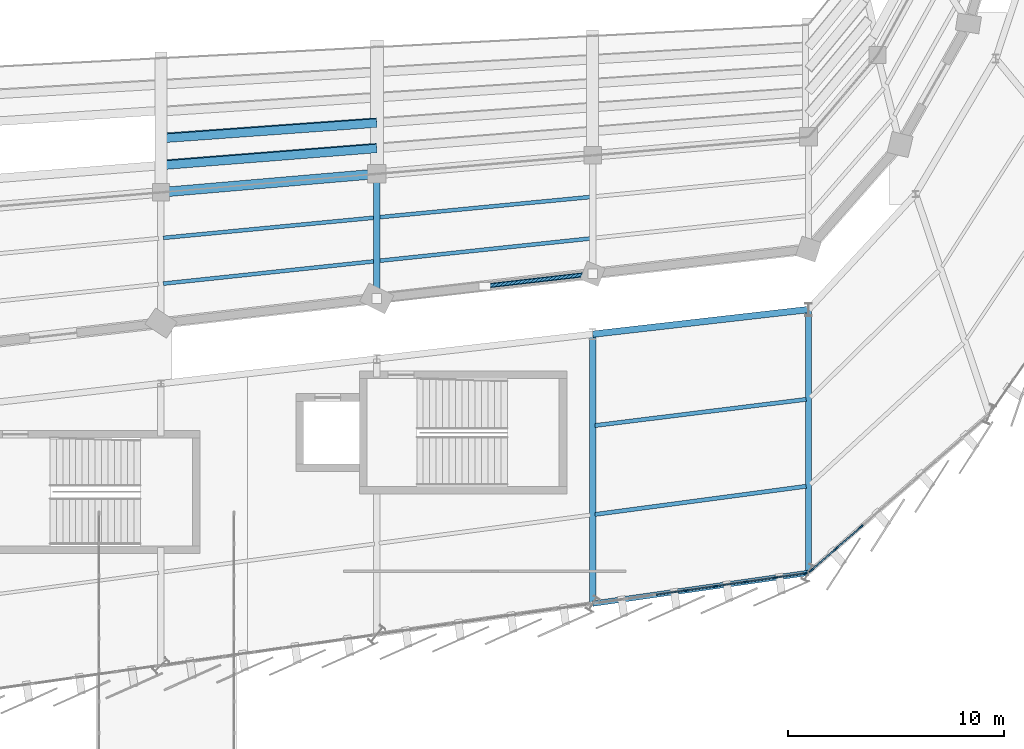
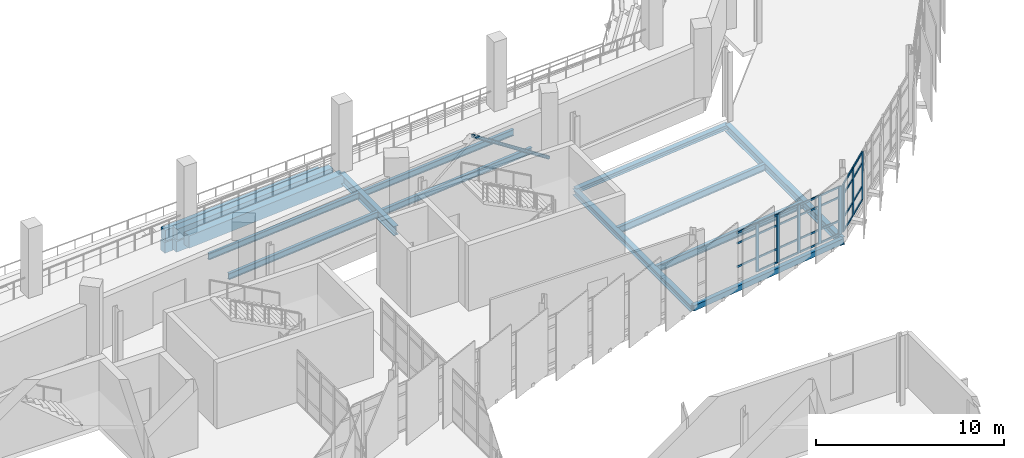
# One storey, part 64 of 134: 36 members, 16 beams, 2 elements without a shape of their own.
"""IFC4 building model written with IfcOpenShell, lengths in metres."""

import ifcopenshell
import ifcopenshell.guid

model = None  # the IFC model being written
_history = None  # IfcOwnerHistory: only IFC2X3 demands one
_inside = {}  # id of a spatial element -> (the spatial element, [elements in it])
_under = {}  # id of a project, library or spatial element -> (it, [spatial elements below it])
_declared = {}  # id of a project -> (the project, [libraries it declares])
_typed = {}  # id of a type object -> (the type object, [elements of that type])
_made_of = {}  # id of a material, layer set ... -> (it, [elements and type objects made of it])


def new_model(schema):
    """Start an empty IFC model of exactly this schema.

    Asked for "IFC4X3", IfcOpenShell would pick the latest addendum, in which some entities
    have other attributes; the version numbers below select the first issue.
    IFC2X3 requires an IfcOwnerHistory on every rooted entity: one is made here for all.
    """
    global model, _history
    if schema == "IFC4X3":
        model = ifcopenshell.file(schema_version=(4, 3, 0, 0))
    else:
        model = ifcopenshell.file(schema=schema)
    _inside.clear()
    _under.clear()
    _declared.clear()
    _typed.clear()
    _made_of.clear()
    _history = None
    if model.schema == "IFC2X3":
        org = make("IfcOrganization", Name="unknown")
        user = make(
            "IfcPersonAndOrganization",
            ThePerson=make("IfcPerson", FamilyName="unknown"),
            TheOrganization=org,
        )
        app = make(
            "IfcApplication",
            ApplicationDeveloper=org,
            Version="unknown",
            ApplicationFullName="unknown",
            ApplicationIdentifier="unknown",
        )
        _history = make(
            "IfcOwnerHistory",
            OwningUser=user,
            OwningApplication=app,
            ChangeAction="ADDED",
            CreationDate=0,
        )
    return model


def make(cls, **values):
    """One entity of the class cls with the attributes given. An attribute that is None is left unset."""
    return model.create_entity(
        cls, **{name: value for name, value in values.items() if value is not None}
    )


def rooted(cls, **values):
    """An entity with a GlobalId (a new one), such as an element, a storey or a relation."""
    return make(cls, GlobalId=ifcopenshell.guid.new(), OwnerHistory=_history, **values)


def si_unit(unit_type, name, prefix=None):
    """IfcSIUnit, for example si_unit("LENGTHUNIT", "METRE", prefix="MILLI")."""
    return make("IfcSIUnit", UnitType=unit_type, Prefix=prefix, Name=name)


def assignment(units):
    """IfcUnitAssignment: the units of a project."""
    return None if units is None else make("IfcUnitAssignment", Units=units)


def point(xyz):
    """IfcCartesianPoint."""
    return None if xyz is None else make("IfcCartesianPoint", Coordinates=xyz)


def direction(xyz):
    """IfcDirection."""
    return None if xyz is None else make("IfcDirection", DirectionRatios=xyz)


def frame(location, z_axis=None, x_axis=None):
    """IfcAxis2Placement3D, a coordinate frame: its origin and axes. An axis left out is left unset."""
    return make(
        "IfcAxis2Placement3D",
        Location=point(location),
        Axis=direction(z_axis),
        RefDirection=direction(x_axis),
    )


def frame_2d(location, x_axis=None):
    """IfcAxis2Placement2D, a coordinate frame in the plane: its origin and x axis."""
    return make(
        "IfcAxis2Placement2D", Location=point(location), RefDirection=direction(x_axis)
    )


def origin():
    """The frame at (0, 0, 0) with its axes left unset."""
    return frame((0.0, 0.0, 0.0))


def origin_2d():
    """The frame at (0, 0) in the plane with its x axis left unset."""
    return frame_2d((0.0, 0.0))


def place(relative_to, where):
    """IfcLocalPlacement: puts the frame where relative to a parent placement (None: the world)."""
    return make(
        "IfcLocalPlacement", PlacementRelTo=relative_to, RelativePlacement=where
    )


def context(
    kind, dimensions, precision=None, world=None, true_north=None, identifier=None
):
    """IfcGeometricRepresentationContext, for example the 3D "Model" context."""
    return make(
        "IfcGeometricRepresentationContext",
        ContextIdentifier=identifier,
        ContextType=kind,
        CoordinateSpaceDimension=dimensions,
        Precision=precision,
        WorldCoordinateSystem=world,
        TrueNorth=true_north,
    )


def subcontext(parent, identifier, kind, view, scale=None):
    """IfcGeometricRepresentationSubContext, for example "Body" below "Model"."""
    return make(
        "IfcGeometricRepresentationSubContext",
        ContextIdentifier=identifier,
        ContextType=kind,
        ParentContext=parent,
        TargetScale=scale,
        TargetView=view,
    )


def project(units=None, contexts=None):
    """IfcProject with its units and contexts."""
    return rooted(
        "IfcProject",
        Name="project",
        RepresentationContexts=contexts,
        UnitsInContext=assignment(units),
    )


def spatial(cls, under=None, at=None, **own):
    """A site, building, storey or space (cls), placed at a placement, below another one or the project."""
    s = rooted(cls, ObjectPlacement=at, **own)
    if under is not None:
        _under.setdefault(under.id(), (under, []))[1].append(s)
    return s


def profile(cls, at=None, kind="AREA", **sizes):
    """A parametric profile (cls). Its sizes go by their IFC names, for example OverallWidth=200.0."""
    return make(cls, ProfileType=kind, Position=at, **sizes)


def rectangle(**sizes):
    """IfcRectangleProfileDef."""
    return profile("IfcRectangleProfileDef", **sizes)


def hollow_rectangle(**sizes):
    """IfcRectangleHollowProfileDef."""
    return profile("IfcRectangleHollowProfileDef", **sizes)


def hollow_circle(**sizes):
    """IfcCircleHollowProfileDef."""
    return profile("IfcCircleHollowProfileDef", **sizes)


def i_section(**sizes):
    """IfcIShapeProfileDef."""
    return profile("IfcIShapeProfileDef", **sizes)


def extrude(swept, where, along, depth):
    """IfcExtrudedAreaSolid: the profile swept, set in the frame where, extruded along a direction by depth."""
    return make(
        "IfcExtrudedAreaSolid",
        SweptArea=swept,
        Position=where,
        ExtrudedDirection=direction(along),
        Depth=depth,
    )


def shape(context_of_items, identifier, shape_type, items):
    """IfcShapeRepresentation: the items that make up one representation, for example the "Body"."""
    return make(
        "IfcShapeRepresentation",
        ContextOfItems=context_of_items,
        RepresentationIdentifier=identifier,
        RepresentationType=shape_type,
        Items=items,
    )


def material(Name=None, Category=None):
    """IfcMaterial."""
    return make("IfcMaterial", Name=Name, Category=Category)


def layer(
    of_material, thickness, ventilated=None, Name=None, Category=None, Priority=None
):
    """IfcMaterialLayer: one layer of a wall or slab, of a material (None: an air gap)."""
    return make(
        "IfcMaterialLayer",
        Material=of_material,
        LayerThickness=thickness,
        IsVentilated=ventilated,
        Name=Name,
        Category=Category,
        Priority=Priority,
    )


def layer_set(layers, Name=None):
    """IfcMaterialLayerSet."""
    return make("IfcMaterialLayerSet", MaterialLayers=layers, LayerSetName=Name)


def material_profile(
    of_material, cross_section, Name=None, Category=None, Priority=None
):
    """IfcMaterialProfile: a cross section and its material."""
    return make(
        "IfcMaterialProfile",
        Name=Name,
        Material=of_material,
        Profile=cross_section,
        Priority=Priority,
        Category=Category,
    )


def profile_set(profiles, Name=None, composite=None):
    """IfcMaterialProfileSet."""
    return make(
        "IfcMaterialProfileSet",
        Name=Name,
        MaterialProfiles=profiles,
        CompositeProfile=composite,
    )


def made_of(thing, what):
    """Note that an element or type object is made of a material, layer set ...; save() writes the relation."""
    if what is not None:
        _made_of.setdefault(what.id(), (what, []))[1].append(thing)
    return thing


def type_object(cls, material=None, **own):
    """A type object (cls), such as IfcWallType, which elements share."""
    return made_of(rooted(cls, **own), material)


def element(
    cls,
    number,
    at=None,
    inside=None,
    cuts=None,
    type_object=None,
    material=None,
    context=None,
    identifier="Body",
    shape_type=None,
    held_by="IfcProductDefinitionShape",
    body=None,
    shapes=None,
    **own,
):
    """One element of the class cls, such as IfcWall. Its Tag is "e" and its number.

    at: its placement. inside: the storey or other place that contains it. cuts: it is an
    opening in that element (IfcRelVoidsElement). A single representation is given by context,
    identifier, shape_type and body (its items); several are given by shapes. held_by: the class
    of the entity that holds the representations. save() writes the other relations.
    """
    e = rooted(cls, Tag="e%d" % number, ObjectPlacement=at, **own)
    if body is not None:
        shapes = [shape(context, identifier, shape_type, body)]
    if shapes is not None:
        e.Representation = make(held_by, Representations=shapes)
    if inside is not None:
        _inside.setdefault(inside.id(), (inside, []))[1].append(e)
    if cuts is not None:
        rooted(
            "IfcRelVoidsElement", RelatingBuildingElement=cuts, RelatedOpeningElement=e
        )
    if type_object is not None:
        _typed.setdefault(type_object.id(), (type_object, []))[1].append(e)
    return made_of(e, material)


def aggregate(whole, parts):
    """IfcRelAggregates: a whole, such as a stair, and the parts it consists of."""
    return rooted("IfcRelAggregates", RelatingObject=whole, RelatedObjects=parts)


def save(model, path):
    """Write the relations noted so far, then the file.

    IfcRelAggregates (storeys below a building ...), IfcRelContainedInSpatialStructure (elements
    in a storey), IfcRelDefinesByType, IfcRelAssociatesMaterial and IfcRelDeclares: one each for
    every whole, place, type object, material and project.
    """
    for whole, parts in _under.values():
        aggregate(whole, parts)
    for where, things in _inside.values():
        rooted(
            "IfcRelContainedInSpatialStructure",
            RelatedElements=things,
            RelatingStructure=where,
        )
    for kind, things in _typed.values():
        rooted("IfcRelDefinesByType", RelatedObjects=things, RelatingType=kind)
    for what, things in _made_of.values():
        rooted("IfcRelAssociatesMaterial", RelatedObjects=things, RelatingMaterial=what)
    for by, libraries in _declared.values():
        rooted("IfcRelDeclares", RelatingContext=by, RelatedDefinitions=libraries)
    model.write(path)


model = new_model("IFC4")

# Units and contexts
model_context = context("Model", 3, precision=1e-05, world=origin(), true_north=direction((0.0, 1.0)))
body_context = subcontext(model_context, "Body", "Model", "MODEL_VIEW")
ifc_project = project(units=[si_unit("LENGTHUNIT", "METRE"), si_unit("AREAUNIT", "SQUARE_METRE"), si_unit("VOLUMEUNIT", "CUBIC_METRE"), si_unit("PLANEANGLEUNIT", "RADIAN"), si_unit("MASSUNIT", "GRAM", prefix="KILO")], contexts=[model_context])

# Site, building, storey
site_placement = place(None, origin())
site = spatial("IfcSite", under=ifc_project, at=site_placement, CompositionType="ELEMENT")
building_placement = place(site_placement, origin())
building = spatial("IfcBuilding", under=site, at=building_placement, Name="Sohan Crest Arena", CompositionType="ELEMENT")
storey_placement = place(building_placement, frame((0.0, 0.0, 4.5)))
storey = spatial("IfcBuildingStorey", under=building, at=storey_placement, Name="L01", CompositionType="ELEMENT", Elevation=4.5)

# Curtain wall, members
ifc_material_1 = material(Name="Thermally broken anodised aluminium", Category="aluminium")
ifc_layer_1 = layer(ifc_material_1, 0.179931640625, Name="Thermally broken anodised aluminium")
ifc_layer_set_1 = layer_set([ifc_layer_1], Name="Thermally broken anodised aluminium")
curtain_wall_type_1 = type_object("IfcCurtainWallType", Name="ARC-CW01", PredefinedType="NOTDEFINED", material=ifc_layer_set_1)
curtain_wall_1_placement = place(storey_placement, origin())
curtain_wall_1 = element("IfcCurtainWall", 1, at=curtain_wall_1_placement, inside=storey, type_object=curtain_wall_type_1, Name="Unitised curtain wall CW-036", PredefinedType="NOTDEFINED")
ifc_material_profile_1 = material_profile(ifc_material_1, rectangle(XDim=0.070068359375, YDim=0.199951171875, at=origin_2d()), Name="ALU-MULL 70x200")
ifc_profile_set_1 = profile_set([ifc_material_profile_1], Name="Thermally broken anodised aluminium")
member_type_1 = type_object("IfcMemberType", Name="ARC-CW-ML03", PredefinedType="MULLION", material=ifc_profile_set_1)
member_1_placement = place(storey_placement, frame((162.30419921875, 39.18603515625, 0.0), z_axis=(0.0, 0.0, 1.0), x_axis=(-0.141549389674, 0.989931194722, 0.0)))
member_1 = element("IfcMember", 2, at=member_1_placement, type_object=member_type_1, Name="CW-036 mullion 4", PredefinedType="MULLION", context=body_context, shape_type="SweptSolid", body=[
    extrude(rectangle(XDim=0.070068359375, YDim=0.199951171875, at=origin_2d()), origin(), (0.0, 0.0, 1.0), 3.1201171875),
])
member_2_placement = place(storey_placement, frame((163.69580078125, 39.385009765625, 0.0), z_axis=(0.0, 0.0, 1.0), x_axis=(-0.141549389674, 0.989931194722, 0.0)))
member_2 = element("IfcMember", 3, at=member_2_placement, type_object=member_type_1, Name="CW-036 mullion 5", PredefinedType="MULLION", context=body_context, shape_type="SweptSolid", body=[
    extrude(rectangle(XDim=0.070068359375, YDim=0.199951171875, at=origin_2d()), origin(), (0.0, 0.0, 1.0), 3.1201171875),
])
member_3_placement = place(storey_placement, frame((165.087646484375, 39.583984375, 0.0), z_axis=(0.0, 0.0, 1.0), x_axis=(-0.141549389674, 0.989931194722, 0.0)))
member_3 = element("IfcMember", 4, at=member_3_placement, type_object=member_type_1, Name="CW-036 mullion 6", PredefinedType="MULLION", context=body_context, shape_type="SweptSolid", body=[
    extrude(rectangle(XDim=0.070068359375, YDim=0.199951171875, at=origin_2d()), origin(), (0.0, 0.0, 1.0), 3.1201171875),
])
member_4_placement = place(storey_placement, frame((166.479248046875, 39.782958984375, 0.0), z_axis=(0.0, 0.0, 1.0), x_axis=(-0.141549389674, 0.989931194722, 0.0)))
member_4 = element("IfcMember", 5, at=member_4_placement, type_object=member_type_1, Name="CW-036 mullion 7", PredefinedType="MULLION", context=body_context, shape_type="SweptSolid", body=[
    extrude(rectangle(XDim=0.070068359375, YDim=0.199951171875, at=origin_2d()), origin(), (0.0, 0.0, 1.0), 3.1201171875),
])
member_5_placement = place(storey_placement, frame((167.83642578125, 39.97705078125, 0.0), z_axis=(0.0, 0.0, 1.0), x_axis=(-0.141549389674, 0.989931194722, 0.0)))
member_5 = element("IfcMember", 6, at=member_5_placement, type_object=member_type_1, Name="CW-036 mullion 8", PredefinedType="MULLION", context=body_context, shape_type="SweptSolid", body=[
    extrude(rectangle(XDim=0.070068359375, YDim=0.199951171875, at=origin_2d()), origin(), (0.0, 0.0, 1.0), 3.1201171875),
])

ifc_layer_2 = layer(ifc_material_1, 0.199951171875, Name="Thermally broken anodised aluminium")
ifc_layer_set_2 = layer_set([ifc_layer_2], Name="Thermally broken anodised aluminium")
curtain_wall_type_2 = type_object("IfcCurtainWallType", Name="ARC-CW02", PredefinedType="NOTDEFINED", material=ifc_layer_set_2)
curtain_wall_2_placement = place(storey_placement, origin())
curtain_wall_2 = element("IfcCurtainWall", 7, at=curtain_wall_2_placement, inside=storey, type_object=curtain_wall_type_2, Name="Unitised curtain wall CW-037", PredefinedType="NOTDEFINED")
ifc_material_profile_2 = material_profile(ifc_material_1, rectangle(XDim=0.074951171875, YDim=0.219970703125, at=origin_2d()), Name="ALU-MULL 75x220")
ifc_profile_set_2 = profile_set([ifc_material_profile_2], Name="Thermally broken anodised aluminium")
member_type_2 = type_object("IfcMemberType", Name="ARC-CW-ML04", PredefinedType="MULLION", material=ifc_profile_set_2)
member_6_placement = place(storey_placement, frame((168.126220703125, 40.11083984375, 0.0), z_axis=(0.0, 0.0, 1.0), x_axis=(-0.659511551903, 0.751694427881, 0.0)))
member_6 = element("IfcMember", 8, at=member_6_placement, type_object=member_type_2, Name="CW-037 mullion 1", PredefinedType="MULLION", context=body_context, shape_type="SweptSolid", body=[
    extrude(rectangle(XDim=0.074951171875, YDim=0.219970703125, at=origin_2d()), origin(), (0.0, 0.0, 1.0), 3.1201171875),
])
member_7_placement = place(storey_placement, frame((169.267578125, 41.112060546875, 0.0), z_axis=(0.0, 0.0, 1.0), x_axis=(-0.659511551903, 0.751694427881, 0.0)))
member_7 = element("IfcMember", 9, at=member_7_placement, type_object=member_type_2, Name="CW-037 mullion 2", PredefinedType="MULLION", context=body_context, shape_type="SweptSolid", body=[
    extrude(rectangle(XDim=0.074951171875, YDim=0.219970703125, at=origin_2d()), origin(), (0.0, 0.0, 1.0), 3.1201171875),
])
member_8_placement = place(storey_placement, frame((170.437255859375, 42.13818359375, 0.0), z_axis=(0.0, 0.0, 1.0), x_axis=(-0.659511551903, 0.751694427881, 0.0)))
member_8 = element("IfcMember", 10, at=member_8_placement, type_object=member_type_2, Name="CW-037 mullion 3", PredefinedType="MULLION", context=body_context, shape_type="SweptSolid", body=[
    extrude(rectangle(XDim=0.074951171875, YDim=0.219970703125, at=origin_2d()), origin(), (0.0, 0.0, 1.0), 3.1201171875),
])

# Member
ifc_material_profile_3 = material_profile(ifc_material_1, rectangle(XDim=0.06005859375, YDim=0.1201171875, at=origin_2d()), Name="ALU-TRAN 60x120")
ifc_profile_set_3 = profile_set([ifc_material_profile_3], Name="Thermally broken anodised aluminium")
member_type_3 = type_object("IfcMemberType", Name="ARC-CW-TR01", PredefinedType="USERDEFINED", material=ifc_profile_set_3)
member_9_placement = place(storey_placement, frame((160.947021484375, 38.991943359375, 0.89990234375), z_axis=(0.989920233582, 0.141626025665, 0.0), x_axis=(-0.141626025665, 0.989920233582, 0.0)))
member_9 = element("IfcMember", 11, at=member_9_placement, type_object=member_type_3, Name="CW-036 transom 3.2", ObjectType="TRANSOM", PredefinedType="USERDEFINED", context=body_context, shape_type="SweptSolid", body=[
    extrude(rectangle(XDim=0.06005859375, YDim=0.1201171875, at=origin_2d()), origin(), (0.0, 0.0, 1.0), 1.3359375),
])

member_10_placement = place(storey_placement, frame((160.947021484375, 38.991943359375, 2.419921875), z_axis=(0.989920233582, 0.141626025665, 0.0), x_axis=(-0.141626025665, 0.989920233582, 0.0)))
member_10 = element("IfcMember", 12, at=member_10_placement, type_object=member_type_3, Name="CW-036 transom 3.3", ObjectType="TRANSOM", PredefinedType="USERDEFINED", context=body_context, shape_type="SweptSolid", body=[
    extrude(rectangle(XDim=0.06005859375, YDim=0.1201171875, at=origin_2d()), origin(), (0.0, 0.0, 1.0), 1.3359375),
])

member_11_placement = place(storey_placement, frame((160.947021484375, 38.991943359375, 3.090087890625), z_axis=(0.989920233582, 0.141626025665, 0.0), x_axis=(-0.141626025665, 0.989920233582, 0.0)))
member_11 = element("IfcMember", 13, at=member_11_placement, type_object=member_type_3, Name="CW-036 transom 3.4", ObjectType="TRANSOM", PredefinedType="USERDEFINED", context=body_context, shape_type="SweptSolid", body=[
    extrude(rectangle(XDim=0.06005859375, YDim=0.1201171875, at=origin_2d()), origin(), (0.0, 0.0, 1.0), 1.3359375),
])

member_12_placement = place(storey_placement, frame((162.3388671875, 39.19091796875, 0.030029296875), z_axis=(0.989916567135, 0.141651650578, 0.0), x_axis=(-0.141651650578, 0.989916567135, 0.0)))
member_12 = element("IfcMember", 14, at=member_12_placement, type_object=member_type_3, Name="CW-036 transom 4.1", ObjectType="TRANSOM", PredefinedType="USERDEFINED", context=body_context, shape_type="SweptSolid", body=[
    extrude(rectangle(XDim=0.06005859375, YDim=0.1201171875, at=origin_2d()), origin(), (0.0, 0.0, 1.0), 1.335693359375),
])

member_13_placement = place(storey_placement, frame((162.3388671875, 39.19091796875, 0.89990234375), z_axis=(0.989916567135, 0.141651650578, 0.0), x_axis=(-0.141651650578, 0.989916567135, 0.0)))
member_13 = element("IfcMember", 15, at=member_13_placement, type_object=member_type_3, Name="CW-036 transom 4.2", ObjectType="TRANSOM", PredefinedType="USERDEFINED", context=body_context, shape_type="SweptSolid", body=[
    extrude(rectangle(XDim=0.06005859375, YDim=0.1201171875, at=origin_2d()), origin(), (0.0, 0.0, 1.0), 1.335693359375),
])

member_14_placement = place(storey_placement, frame((162.3388671875, 39.19091796875, 2.419921875), z_axis=(0.989916567135, 0.141651650578, 0.0), x_axis=(-0.141651650578, 0.989916567135, 0.0)))
member_14 = element("IfcMember", 16, at=member_14_placement, type_object=member_type_3, Name="CW-036 transom 4.3", ObjectType="TRANSOM", PredefinedType="USERDEFINED", context=body_context, shape_type="SweptSolid", body=[
    extrude(rectangle(XDim=0.06005859375, YDim=0.1201171875, at=origin_2d()), origin(), (0.0, 0.0, 1.0), 1.335693359375),
])

member_15_placement = place(storey_placement, frame((162.3388671875, 39.19091796875, 3.090087890625), z_axis=(0.989916567135, 0.141651650578, 0.0), x_axis=(-0.141651650578, 0.989916567135, 0.0)))
member_15 = element("IfcMember", 17, at=member_15_placement, type_object=member_type_3, Name="CW-036 transom 4.4", ObjectType="TRANSOM", PredefinedType="USERDEFINED", context=body_context, shape_type="SweptSolid", body=[
    extrude(rectangle(XDim=0.06005859375, YDim=0.1201171875, at=origin_2d()), origin(), (0.0, 0.0, 1.0), 1.335693359375),
])

member_16_placement = place(storey_placement, frame((163.73046875, 39.389892578125, 0.030029296875), z_axis=(0.989920233582, 0.141626025665, 0.0), x_axis=(-0.141626025665, 0.989920233582, 0.0)))
member_16 = element("IfcMember", 18, at=member_16_placement, type_object=member_type_3, Name="CW-036 transom 5.1", ObjectType="TRANSOM", PredefinedType="USERDEFINED", context=body_context, shape_type="SweptSolid", body=[
    extrude(rectangle(XDim=0.06005859375, YDim=0.1201171875, at=origin_2d()), origin(), (0.0, 0.0, 1.0), 1.3359375),
])

member_17_placement = place(storey_placement, frame((163.73046875, 39.389892578125, 0.89990234375), z_axis=(0.989920233582, 0.141626025665, 0.0), x_axis=(-0.141626025665, 0.989920233582, 0.0)))
member_17 = element("IfcMember", 19, at=member_17_placement, type_object=member_type_3, Name="CW-036 transom 5.2", ObjectType="TRANSOM", PredefinedType="USERDEFINED", context=body_context, shape_type="SweptSolid", body=[
    extrude(rectangle(XDim=0.06005859375, YDim=0.1201171875, at=origin_2d()), origin(), (0.0, 0.0, 1.0), 1.3359375),
])

member_18_placement = place(storey_placement, frame((163.73046875, 39.389892578125, 2.419921875), z_axis=(0.989920233582, 0.141626025665, 0.0), x_axis=(-0.141626025665, 0.989920233582, 0.0)))
member_18 = element("IfcMember", 20, at=member_18_placement, type_object=member_type_3, Name="CW-036 transom 5.3", ObjectType="TRANSOM", PredefinedType="USERDEFINED", context=body_context, shape_type="SweptSolid", body=[
    extrude(rectangle(XDim=0.06005859375, YDim=0.1201171875, at=origin_2d()), origin(), (0.0, 0.0, 1.0), 1.3359375),
])

member_19_placement = place(storey_placement, frame((163.73046875, 39.389892578125, 3.090087890625), z_axis=(0.989920233582, 0.141626025665, 0.0), x_axis=(-0.141626025665, 0.989920233582, 0.0)))
member_19 = element("IfcMember", 21, at=member_19_placement, type_object=member_type_3, Name="CW-036 transom 5.4", ObjectType="TRANSOM", PredefinedType="USERDEFINED", context=body_context, shape_type="SweptSolid", body=[
    extrude(rectangle(XDim=0.06005859375, YDim=0.1201171875, at=origin_2d()), origin(), (0.0, 0.0, 1.0), 1.3359375),
])

member_20_placement = place(storey_placement, frame((165.122314453125, 39.5888671875, 0.030029296875), z_axis=(0.989916567135, 0.141651650578, 0.0), x_axis=(-0.141651650578, 0.989916567135, 0.0)))
member_20 = element("IfcMember", 22, at=member_20_placement, type_object=member_type_3, Name="CW-036 transom 6.1", ObjectType="TRANSOM", PredefinedType="USERDEFINED", context=body_context, shape_type="SweptSolid", body=[
    extrude(rectangle(XDim=0.06005859375, YDim=0.1201171875, at=origin_2d()), origin(), (0.0, 0.0, 1.0), 1.335693359375),
])

member_21_placement = place(storey_placement, frame((165.122314453125, 39.5888671875, 0.89990234375), z_axis=(0.989916567135, 0.141651650578, 0.0), x_axis=(-0.141651650578, 0.989916567135, 0.0)))
member_21 = element("IfcMember", 23, at=member_21_placement, type_object=member_type_3, Name="CW-036 transom 6.2", ObjectType="TRANSOM", PredefinedType="USERDEFINED", context=body_context, shape_type="SweptSolid", body=[
    extrude(rectangle(XDim=0.06005859375, YDim=0.1201171875, at=origin_2d()), origin(), (0.0, 0.0, 1.0), 1.335693359375),
])

member_22_placement = place(storey_placement, frame((165.122314453125, 39.5888671875, 2.419921875), z_axis=(0.989916567135, 0.141651650578, 0.0), x_axis=(-0.141651650578, 0.989916567135, 0.0)))
member_22 = element("IfcMember", 24, at=member_22_placement, type_object=member_type_3, Name="CW-036 transom 6.3", ObjectType="TRANSOM", PredefinedType="USERDEFINED", context=body_context, shape_type="SweptSolid", body=[
    extrude(rectangle(XDim=0.06005859375, YDim=0.1201171875, at=origin_2d()), origin(), (0.0, 0.0, 1.0), 1.335693359375),
])

member_23_placement = place(storey_placement, frame((165.122314453125, 39.5888671875, 3.090087890625), z_axis=(0.989916567135, 0.141651650578, 0.0), x_axis=(-0.141651650578, 0.989916567135, 0.0)))
member_23 = element("IfcMember", 25, at=member_23_placement, type_object=member_type_3, Name="CW-036 transom 6.4", ObjectType="TRANSOM", PredefinedType="USERDEFINED", context=body_context, shape_type="SweptSolid", body=[
    extrude(rectangle(XDim=0.06005859375, YDim=0.1201171875, at=origin_2d()), origin(), (0.0, 0.0, 1.0), 1.335693359375),
])

member_24_placement = place(storey_placement, frame((166.513916015625, 39.787841796875, 0.030029296875), z_axis=(0.989911926593, 0.141684076697, 0.0), x_axis=(-0.141684076697, 0.989911926593, 0.0)))
member_24 = element("IfcMember", 26, at=member_24_placement, type_object=member_type_3, Name="CW-036 transom 7.1", ObjectType="TRANSOM", PredefinedType="USERDEFINED", context=body_context, shape_type="SweptSolid", body=[
    extrude(rectangle(XDim=0.06005859375, YDim=0.1201171875, at=origin_2d()), origin(), (0.0, 0.0, 1.0), 1.301025390625),
])

member_25_placement = place(storey_placement, frame((166.513916015625, 39.787841796875, 0.89990234375), z_axis=(0.989911926593, 0.141684076697, 0.0), x_axis=(-0.141684076697, 0.989911926593, 0.0)))
member_25 = element("IfcMember", 27, at=member_25_placement, type_object=member_type_3, Name="CW-036 transom 7.2", ObjectType="TRANSOM", PredefinedType="USERDEFINED", context=body_context, shape_type="SweptSolid", body=[
    extrude(rectangle(XDim=0.06005859375, YDim=0.1201171875, at=origin_2d()), origin(), (0.0, 0.0, 1.0), 1.301025390625),
])

member_26_placement = place(storey_placement, frame((166.513916015625, 39.787841796875, 2.419921875), z_axis=(0.989911926593, 0.141684076697, 0.0), x_axis=(-0.141684076697, 0.989911926593, 0.0)))
member_26 = element("IfcMember", 28, at=member_26_placement, type_object=member_type_3, Name="CW-036 transom 7.3", ObjectType="TRANSOM", PredefinedType="USERDEFINED", context=body_context, shape_type="SweptSolid", body=[
    extrude(rectangle(XDim=0.06005859375, YDim=0.1201171875, at=origin_2d()), origin(), (0.0, 0.0, 1.0), 1.301025390625),
])

member_27_placement = place(storey_placement, frame((166.513916015625, 39.787841796875, 3.090087890625), z_axis=(0.989911926593, 0.141684076697, 0.0), x_axis=(-0.141684076697, 0.989911926593, 0.0)))
member_27 = element("IfcMember", 29, at=member_27_placement, type_object=member_type_3, Name="CW-036 transom 7.4", ObjectType="TRANSOM", PredefinedType="USERDEFINED", context=body_context, shape_type="SweptSolid", body=[
    extrude(rectangle(XDim=0.06005859375, YDim=0.1201171875, at=origin_2d()), origin(), (0.0, 0.0, 1.0), 1.301025390625),
])

aggregate(curtain_wall_1, [member_1, member_2, member_3, member_4, member_5, member_9, member_10, member_11, member_12, member_13, member_14, member_15, member_16, member_17, member_18, member_19, member_20, member_21, member_22, member_23, member_24, member_25, member_26, member_27])

ifc_material_profile_4 = material_profile(ifc_material_1, rectangle(XDim=0.06494140625, YDim=0.139892578125, at=origin_2d()), Name="ALU-TRAN 65x140")
ifc_profile_set_4 = profile_set([ifc_material_profile_4], Name="Thermally broken anodised aluminium")
member_type_4 = type_object("IfcMemberType", Name="ARC-CW-TR02", PredefinedType="USERDEFINED", material=ifc_profile_set_4)
member_28_placement = place(storey_placement, frame((168.154296875, 40.135498046875, 0.032470703125), z_axis=(0.751769409256, 0.659426080245, 0.0), x_axis=(-0.659426080245, 0.751769409256, 0.0)))
member_28 = element("IfcMember", 30, at=member_28_placement, type_object=member_type_4, Name="CW-037 transom 1.1", ObjectType="TRANSOM", PredefinedType="USERDEFINED", context=body_context, shape_type="SweptSolid", body=[
    extrude(rectangle(XDim=0.06494140625, YDim=0.139892578125, at=origin_2d()), origin(), (0.0, 0.0, 1.0), 1.443603515625),
])

member_29_placement = place(storey_placement, frame((168.154296875, 40.135498046875, 0.89990234375), z_axis=(0.751769409256, 0.659426080245, 0.0), x_axis=(-0.659426080245, 0.751769409256, 0.0)))
member_29 = element("IfcMember", 31, at=member_29_placement, type_object=member_type_4, Name="CW-037 transom 1.2", ObjectType="TRANSOM", PredefinedType="USERDEFINED", context=body_context, shape_type="SweptSolid", body=[
    extrude(rectangle(XDim=0.06494140625, YDim=0.139892578125, at=origin_2d()), origin(), (0.0, 0.0, 1.0), 1.443603515625),
])

member_30_placement = place(storey_placement, frame((168.154296875, 40.135498046875, 2.419921875), z_axis=(0.751769409256, 0.659426080245, 0.0), x_axis=(-0.659426080245, 0.751769409256, 0.0)))
member_30 = element("IfcMember", 32, at=member_30_placement, type_object=member_type_4, Name="CW-037 transom 1.3", ObjectType="TRANSOM", PredefinedType="USERDEFINED", context=body_context, shape_type="SweptSolid", body=[
    extrude(rectangle(XDim=0.06494140625, YDim=0.139892578125, at=origin_2d()), origin(), (0.0, 0.0, 1.0), 1.443603515625),
])

member_31_placement = place(storey_placement, frame((168.154296875, 40.135498046875, 3.08740234375), z_axis=(0.751769409256, 0.659426080245, 0.0), x_axis=(-0.659426080245, 0.751769409256, 0.0)))
member_31 = element("IfcMember", 33, at=member_31_placement, type_object=member_type_4, Name="CW-037 transom 1.4", ObjectType="TRANSOM", PredefinedType="USERDEFINED", context=body_context, shape_type="SweptSolid", body=[
    extrude(rectangle(XDim=0.06494140625, YDim=0.139892578125, at=origin_2d()), origin(), (0.0, 0.0, 1.0), 1.443603515625),
])

member_32_placement = place(storey_placement, frame((169.295654296875, 41.136962890625, 0.032470703125), z_axis=(0.751759112871, 0.659437818308, 0.0), x_axis=(-0.659437818308, 0.751759112871, 0.0)))
member_32 = element("IfcMember", 34, at=member_32_placement, type_object=member_type_4, Name="CW-037 transom 2.1", ObjectType="TRANSOM", PredefinedType="USERDEFINED", context=body_context, shape_type="SweptSolid", body=[
    extrude(rectangle(XDim=0.06494140625, YDim=0.139892578125, at=origin_2d()), origin(), (0.0, 0.0, 1.0), 1.48095703125),
])

member_33_placement = place(storey_placement, frame((169.295654296875, 41.136962890625, 0.89990234375), z_axis=(0.751759112871, 0.659437818308, 0.0), x_axis=(-0.659437818308, 0.751759112871, 0.0)))
member_33 = element("IfcMember", 35, at=member_33_placement, type_object=member_type_4, Name="CW-037 transom 2.2", ObjectType="TRANSOM", PredefinedType="USERDEFINED", context=body_context, shape_type="SweptSolid", body=[
    extrude(rectangle(XDim=0.06494140625, YDim=0.139892578125, at=origin_2d()), origin(), (0.0, 0.0, 1.0), 1.48095703125),
])

member_34_placement = place(storey_placement, frame((169.295654296875, 41.136962890625, 2.419921875), z_axis=(0.751759112871, 0.659437818308, 0.0), x_axis=(-0.659437818308, 0.751759112871, 0.0)))
member_34 = element("IfcMember", 36, at=member_34_placement, type_object=member_type_4, Name="CW-037 transom 2.3", ObjectType="TRANSOM", PredefinedType="USERDEFINED", context=body_context, shape_type="SweptSolid", body=[
    extrude(rectangle(XDim=0.06494140625, YDim=0.139892578125, at=origin_2d()), origin(), (0.0, 0.0, 1.0), 1.48095703125),
])

member_35_placement = place(storey_placement, frame((169.295654296875, 41.136962890625, 3.08740234375), z_axis=(0.751759112871, 0.659437818308, 0.0), x_axis=(-0.659437818308, 0.751759112871, 0.0)))
member_35 = element("IfcMember", 37, at=member_35_placement, type_object=member_type_4, Name="CW-037 transom 2.4", ObjectType="TRANSOM", PredefinedType="USERDEFINED", context=body_context, shape_type="SweptSolid", body=[
    extrude(rectangle(XDim=0.06494140625, YDim=0.139892578125, at=origin_2d()), origin(), (0.0, 0.0, 1.0), 1.48095703125),
])

aggregate(curtain_wall_2, [member_6, member_7, member_8, member_28, member_29, member_30, member_31, member_32, member_33, member_34, member_35])

# Beams
ifc_material_2 = material(Name="Steel S355", Category="steel")
ifc_material_profile_5 = material_profile(ifc_material_2, i_section(OverallWidth=0.179931640625, OverallDepth=0.39990234375, WebThickness=0.008544921875, FlangeThickness=0.013427734375, at=origin_2d()), Name="IPE 400")
ifc_profile_set_5 = profile_set([ifc_material_profile_5], Name="Steel S355")
beam_type_1 = type_object("IfcBeamType", Name="STR-BM-B03", PredefinedType="JOIST", material=ifc_profile_set_5)
beam_1_placement = place(storey_placement, frame((138.10888671875, 55.51904296875, -0.449951171875), z_axis=(0.995443739336, 0.095350730547, 0.0), x_axis=(-0.095350730547, 0.995443739336, 0.0)))
element("IfcBeam", 38, at=beam_1_placement, inside=storey, type_object=beam_type_1, Name="Structural beam J-L01-0419", PredefinedType="JOIST", context=body_context, shape_type="SweptSolid", body=[
    extrude(i_section(OverallWidth=0.179931640625, OverallDepth=0.39990234375, WebThickness=0.008544921875, FlangeThickness=0.013427734375, at=origin_2d()), origin(), (0.0, 0.0, 1.0), 9.826904296875),
])
beam_2_placement = place(storey_placement, frame((138.10888671875, 53.39990234375, -0.449951171875), z_axis=(0.994458024707, 0.105134376377, 0.0), x_axis=(-0.105134376377, 0.994458024707, 0.0)))
element("IfcBeam", 39, at=beam_2_placement, inside=storey, type_object=beam_type_1, Name="Structural beam J-L01-0420", PredefinedType="JOIST", context=body_context, shape_type="SweptSolid", body=[
    extrude(i_section(OverallWidth=0.179931640625, OverallDepth=0.39990234375, WebThickness=0.008544921875, FlangeThickness=0.013427734375, at=origin_2d()), origin(), (0.0, 0.0, 1.0), 9.836669921875),
])
beam_3_placement = place(storey_placement, frame((148.10888671875, 56.47607421875, -0.449951171875), z_axis=(0.995443739336, 0.095350730547, 0.0), x_axis=(-0.095350730547, 0.995443739336, 0.0)))
element("IfcBeam", 40, at=beam_3_placement, inside=storey, type_object=beam_type_1, Name="Structural beam J-L01-0441", PredefinedType="JOIST", context=body_context, shape_type="SweptSolid", body=[
    extrude(i_section(OverallWidth=0.179931640625, OverallDepth=0.39990234375, WebThickness=0.008544921875, FlangeThickness=0.013427734375, at=origin_2d()), origin(), (0.0, 0.0, 1.0), 9.826904296875),
])
beam_4_placement = place(storey_placement, frame((148.10888671875, 54.4580078125, -0.449951171875), z_axis=(0.994470991784, 0.105011649352, 0.0), x_axis=(-0.105011649352, 0.994470991784, 0.0)))
element("IfcBeam", 41, at=beam_4_placement, inside=storey, type_object=beam_type_1, Name="Structural beam J-L01-0442", PredefinedType="JOIST", context=body_context, shape_type="SweptSolid", body=[
    extrude(i_section(OverallWidth=0.179931640625, OverallDepth=0.39990234375, WebThickness=0.008544921875, FlangeThickness=0.013427734375, at=origin_2d()), origin(), (0.0, 0.0, 1.0), 9.836669921875),
])
ifc_material_profile_6 = material_profile(ifc_material_2, i_section(OverallWidth=0.18994140625, OverallDepth=0.449951171875, WebThickness=0.009521484375, FlangeThickness=0.0146484375, at=origin_2d()), Name="IPE 450")
ifc_profile_set_6 = profile_set([ifc_material_profile_6], Name="Steel S355")
beam_type_2 = type_object("IfcBeamType", Name="STR-BM-B04", PredefinedType="JOIST", material=ifc_profile_set_6)
beam_5_placement = place(storey_placement, frame((158.10888671875, 46.825927734375, -0.5), z_axis=(0.992409914467, 0.122973825131, 0.0), x_axis=(-0.122973825131, 0.992409914467, 0.0)))
element("IfcBeam", 42, at=beam_5_placement, inside=storey, type_object=beam_type_2, Name="Structural beam J-L01-1170", PredefinedType="JOIST", context=body_context, shape_type="SweptSolid", body=[
    extrude(i_section(OverallWidth=0.18994140625, OverallDepth=0.449951171875, WebThickness=0.009521484375, FlangeThickness=0.0146484375, at=origin_2d()), origin(), (0.0, 0.0, 1.0), 9.85693359375),
])
beam_6_placement = place(storey_placement, frame((158.10888671875, 42.7060546875, -0.5), z_axis=(0.991219472477, 0.132226916252, 0.0), x_axis=(-0.132226916252, 0.991219472477, 0.0)))
element("IfcBeam", 43, at=beam_6_placement, inside=storey, type_object=beam_type_2, Name="Structural beam J-L01-1171", PredefinedType="JOIST", context=body_context, shape_type="SweptSolid", body=[
    extrude(i_section(OverallWidth=0.18994140625, OverallDepth=0.449951171875, WebThickness=0.009521484375, FlangeThickness=0.0146484375, at=origin_2d()), origin(), (0.0, 0.0, 1.0), 9.868896484375),
])
ifc_material_profile_7 = material_profile(ifc_material_2, i_section(OverallWidth=0.300048828125, OverallDepth=0.590087890625, WebThickness=0.012939453125, FlangeThickness=0.02490234375, at=origin_2d()), Name="HEA 600")
ifc_profile_set_7 = profile_set([ifc_material_profile_7], Name="Steel S355")
beam_type_3 = type_object("IfcBeamType", Name="STR-BM-B11", PredefinedType="BEAM", material=ifc_profile_set_7)
beam_7_placement = place(storey_placement, frame((148.0, 58.486083984375, -0.544921875), z_axis=(0.0, -1.0, 0.0), x_axis=(1.0, 0.0, 0.0)))
element("IfcBeam", 44, at=beam_7_placement, inside=storey, type_object=beam_type_3, Name="Structural beam G-L01-0440", PredefinedType="BEAM", context=body_context, shape_type="SweptSolid", body=[
    extrude(i_section(OverallWidth=0.300048828125, OverallDepth=0.590087890625, WebThickness=0.012939453125, FlangeThickness=0.02490234375, at=origin_2d()), origin(), (0.0, 0.0, 1.0), 5.77197265625),
])
ifc_material_profile_8 = material_profile(ifc_material_2, i_section(OverallWidth=0.300048828125, OverallDepth=0.300048828125, WebThickness=0.010986328125, FlangeThickness=0.01904296875, at=origin_2d()), Name="HEB 300")
ifc_profile_set_8 = profile_set([ifc_material_profile_8], Name="Steel S355")
beam_type_4 = type_object("IfcBeamType", Name="STR-BM-B12", PredefinedType="BEAM", material=ifc_profile_set_8)
beam_8_placement = place(storey_placement, frame((158.0, 51.056884765625, -0.425048828125), z_axis=(0.99353032697, 0.113567114035, 0.0), x_axis=(-0.113567114035, 0.99353032697, 0.0)))
element("IfcBeam", 45, at=beam_8_placement, inside=storey, type_object=beam_type_4, Name="Structural beam G-L01-1168", PredefinedType="BEAM", context=body_context, shape_type="SweptSolid", body=[
    extrude(i_section(OverallWidth=0.300048828125, OverallDepth=0.300048828125, WebThickness=0.010986328125, FlangeThickness=0.01904296875, at=origin_2d()), origin(), (0.0, 0.0, 1.0), 10.065185546875),
])
ifc_material_profile_9 = material_profile(ifc_material_2, i_section(OverallWidth=0.300048828125, OverallDepth=0.39990234375, WebThickness=0.013427734375, FlangeThickness=0.02392578125, at=origin_2d()), Name="HEB 400")
ifc_profile_set_9 = profile_set([ifc_material_profile_9], Name="Steel S355")
beam_type_5 = type_object("IfcBeamType", Name="STR-BM-B13", PredefinedType="BEAM", material=ifc_profile_set_9)
beam_9_placement = place(storey_placement, frame((158.0, 51.056884765625, -0.47509765625), z_axis=(0.0, -1.0, 0.0), x_axis=(1.0, 0.0, 0.0)))
element("IfcBeam", 46, at=beam_9_placement, inside=storey, type_object=beam_type_5, Name="Structural beam G-L01-1167", PredefinedType="BEAM", context=body_context, shape_type="SweptSolid", body=[
    extrude(i_section(OverallWidth=0.300048828125, OverallDepth=0.39990234375, WebThickness=0.013427734375, FlangeThickness=0.02392578125, at=origin_2d()), origin(), (0.0, 0.0, 1.0), 12.48583984375),
])
ifc_material_profile_10 = material_profile(ifc_material_2, i_section(OverallWidth=0.300048828125, OverallDepth=0.5, WebThickness=0.014404296875, FlangeThickness=0.028076171875, at=origin_2d()), Name="HEB 500")
ifc_profile_set_10 = profile_set([ifc_material_profile_10], Name="Steel S355")
beam_type_6 = type_object("IfcBeamType", Name="STR-BM-B14", PredefinedType="BEAM", material=ifc_profile_set_10)
beam_10_placement = place(storey_placement, frame((168.0, 52.199951171875, -0.52490234375), z_axis=(0.0, -1.0, 0.0), x_axis=(1.0, 0.0, 0.0)))
element("IfcBeam", 47, at=beam_10_placement, inside=storey, type_object=beam_type_6, Name="Structural beam G-L01-1172", PredefinedType="BEAM", context=body_context, shape_type="SweptSolid", body=[
    extrude(i_section(OverallWidth=0.300048828125, OverallDepth=0.5, WebThickness=0.014404296875, FlangeThickness=0.028076171875, at=origin_2d()), origin(), (0.0, 0.0, 1.0), 12.199951171875),
])
ifc_material_profile_11 = material_profile(ifc_material_2, hollow_rectangle(XDim=0.25, YDim=0.35009765625, WallThickness=0.012451171875, at=origin_2d()), Name="RHS 350x250x12.5")
ifc_profile_set_11 = profile_set([ifc_material_profile_11], Name="Steel S355")
beam_type_7 = type_object("IfcBeamType", Name="STR-BM-SP04", PredefinedType="SPANDREL", material=ifc_profile_set_11)
beam_11_placement = place(storey_placement, frame((158.0, 38.571044921875, -0.449951171875), z_axis=(0.989944175879, 0.141458575718, 0.0), x_axis=(-0.141458575718, 0.989944175879, 0.0)))
element("IfcBeam", 48, at=beam_11_placement, inside=storey, type_object=beam_type_7, Name="Structural beam SP-L01-1169", PredefinedType="SPANDREL", context=body_context, shape_type="SweptSolid", body=[
    extrude(hollow_rectangle(XDim=0.25, YDim=0.35009765625, WallThickness=0.012451171875, at=origin_2d()), origin(), (0.0, 0.0, 1.0), 10.1015625),
])
ifc_material_3 = material(Name="Concrete C40/50", Category="concrete")
ifc_material_profile_12 = material_profile(ifc_material_3, rectangle(XDim=0.39990234375, YDim=0.699951171875, at=origin_2d()), Name="RC-BM 400x700")
ifc_profile_set_12 = profile_set([ifc_material_profile_12], Name="Concrete C40/50")
beam_type_8 = type_object("IfcBeamType", Name="STR-BM-TB01", PredefinedType="BEAM", material=ifc_profile_set_12)
beam_12_placement = place(storey_placement, frame((138.0, 60.169921875, -2.5810546875), z_axis=(0.997439131676, 0.0715204768, 0.0), x_axis=(-0.0715204768, 0.997439131676, 0.0)))
element("IfcBeam", 49, at=beam_12_placement, inside=storey, type_object=beam_type_8, Name="Tier rear stringer beam TSB-L133B", PredefinedType="BEAM", context=body_context, shape_type="SweptSolid", body=[
    extrude(rectangle(XDim=0.39990234375, YDim=0.699951171875, at=origin_2d()), origin(), (0.0, 0.0, 1.0), 10.025634765625),
])
beam_13_placement = place(storey_placement, frame((138.0, 60.1201171875, -1.760986328125), z_axis=(0.997418243661, 0.07181119142, 0.0), x_axis=(-0.07181119142, 0.997418243661, 0.0)))
element("IfcBeam", 50, at=beam_13_placement, inside=storey, type_object=beam_type_8, Name="Tier front stringer beam TSB-L134A", PredefinedType="BEAM", context=body_context, shape_type="SweptSolid", body=[
    extrude(rectangle(XDim=0.39990234375, YDim=0.699951171875, at=origin_2d()), origin(), (0.0, 0.0, 1.0), 10.02587890625),
])
beam_14_placement = place(storey_placement, frame((138.0, 58.924072265625, -1.760986328125), z_axis=(0.996926126338, 0.078347294939, 0.0), x_axis=(-0.078347294939, 0.996926126338, 0.0)))
element("IfcBeam", 51, at=beam_14_placement, inside=storey, type_object=beam_type_8, Name="Tier rear stringer beam TSB-L134B", PredefinedType="BEAM", context=body_context, shape_type="SweptSolid", body=[
    extrude(rectangle(XDim=0.39990234375, YDim=0.699951171875, at=origin_2d()), origin(), (0.0, 0.0, 1.0), 10.03076171875),
])
beam_15_placement = place(storey_placement, frame((138.0, 58.875, -0.94091796875), z_axis=(0.996908993551, 0.078564995878, 0.0), x_axis=(-0.078564995878, 0.996908993551, 0.0)))
element("IfcBeam", 52, at=beam_15_placement, inside=storey, type_object=beam_type_8, Name="Tier front stringer beam TSB-L135A", PredefinedType="BEAM", context=body_context, shape_type="SweptSolid", body=[
    extrude(rectangle(XDim=0.39990234375, YDim=0.699951171875, at=origin_2d()), origin(), (0.0, 0.0, 1.0), 10.031005859375),
])
ifc_material_profile_13 = material_profile(ifc_material_3, rectangle(XDim=0.449951171875, YDim=0.800048828125, at=origin_2d()), Name="RC-BM 450x800")
ifc_profile_set_13 = profile_set([ifc_material_profile_13], Name="Concrete C40/50")
beam_type_9 = type_object("IfcBeamType", Name="STR-BM-TB02", PredefinedType="BEAM", material=ifc_profile_set_13)
beam_16_placement = place(storey_placement, frame((138.0, 57.62890625, -0.64990234375), z_axis=(0.996346353353, 0.085404590982, 0.0), x_axis=(-0.085404590982, 0.996346353353, 0.0)))
element("IfcBeam", 53, at=beam_16_placement, inside=storey, type_object=beam_type_9, Name="Structural beam TB-L01-0416", PredefinedType="BEAM", context=body_context, shape_type="SweptSolid", body=[
    extrude(rectangle(XDim=0.449951171875, YDim=0.800048828125, at=origin_2d()), origin(), (0.0, 0.0, 1.0), 10.03662109375),
])

# Member
ifc_material_profile_14 = material_profile(ifc_material_2, hollow_circle(Radius=0.109619140625, WallThickness=0.010009765625, at=origin_2d()), Name="CHS 219.1x10")
ifc_profile_set_14 = profile_set([ifc_material_profile_14], Name="Steel S355")
member_type_5 = type_object("IfcMemberType", Name="STR-MEM-BR01", PredefinedType="BRACE", material=ifc_profile_set_14)
member_36_placement = place(storey_placement, frame((158.0, 53.85693359375, 0.0), z_axis=(-0.815657336104, -0.093314704028, 0.570960135273), x_axis=(0.113662885526, -0.993519374977, 0.0)))
element("IfcMember", 54, at=member_36_placement, inside=storey, type_object=member_type_5, Name="Concentric lateral chevron brace BR-020", PredefinedType="BRACE", context=body_context, shape_type="SweptSolid", body=[
    extrude(hollow_circle(Radius=0.109619140625, WallThickness=0.010009765625, at=origin_2d()), origin(), (0.0, 0.0, 1.0), 6.130126953125),
])

save(model, "model.ifc")
